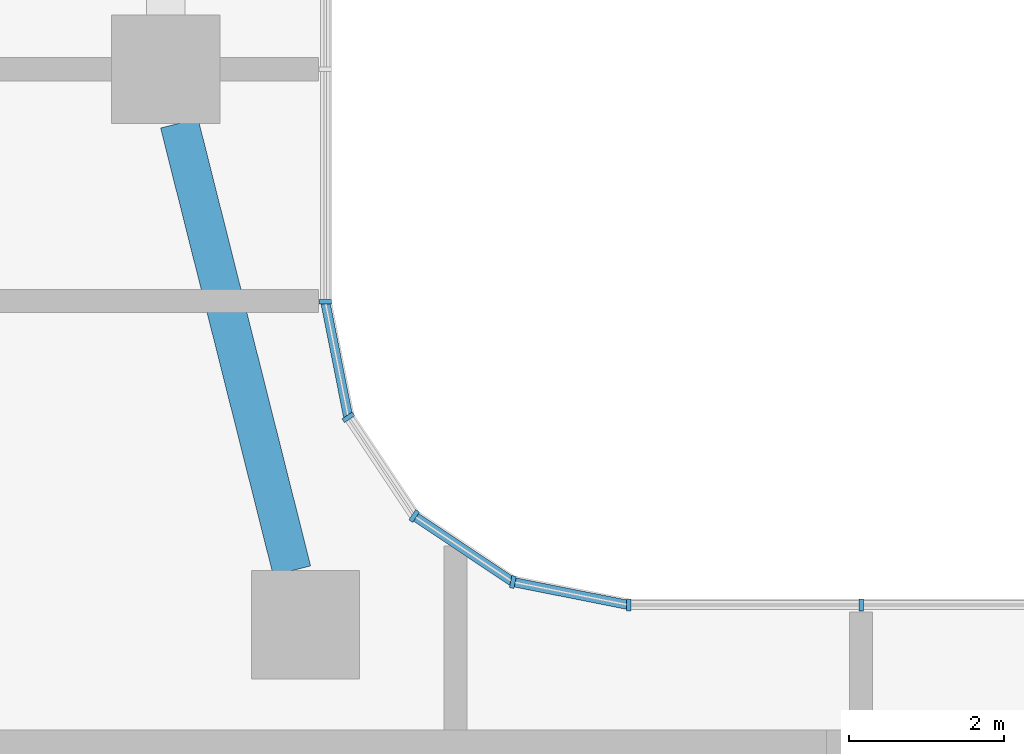
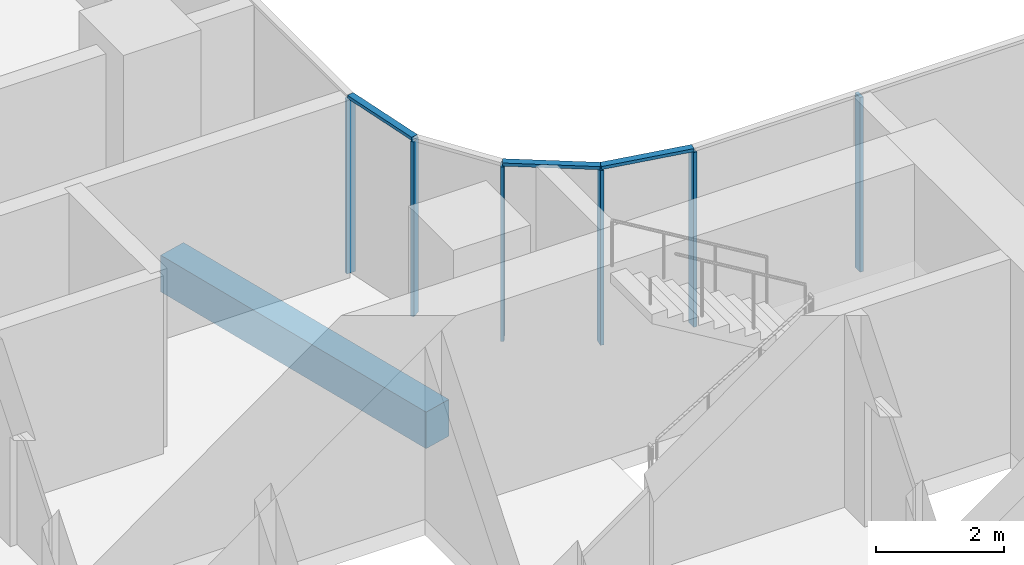
# One storey, part 2 of 32: 9 members, 1 beam, 3 elements without a shape of their own.
"""IFC4 building model written with IfcOpenShell, lengths in metres."""

import ifcopenshell
import ifcopenshell.guid

model = None  # the IFC model being written
_history = None  # IfcOwnerHistory: only IFC2X3 demands one
_inside = {}  # id of a spatial element -> (the spatial element, [elements in it])
_under = {}  # id of a project, library or spatial element -> (it, [spatial elements below it])
_declared = {}  # id of a project -> (the project, [libraries it declares])
_typed = {}  # id of a type object -> (the type object, [elements of that type])
_made_of = {}  # id of a material, layer set ... -> (it, [elements and type objects made of it])


def new_model(schema):
    """Start an empty IFC model of exactly this schema.

    Asked for "IFC4X3", IfcOpenShell would pick the latest addendum, in which some entities
    have other attributes; the version numbers below select the first issue.
    IFC2X3 requires an IfcOwnerHistory on every rooted entity: one is made here for all.
    """
    global model, _history
    if schema == "IFC4X3":
        model = ifcopenshell.file(schema_version=(4, 3, 0, 0))
    else:
        model = ifcopenshell.file(schema=schema)
    _inside.clear()
    _under.clear()
    _declared.clear()
    _typed.clear()
    _made_of.clear()
    _history = None
    if model.schema == "IFC2X3":
        org = make("IfcOrganization", Name="unknown")
        user = make(
            "IfcPersonAndOrganization",
            ThePerson=make("IfcPerson", FamilyName="unknown"),
            TheOrganization=org,
        )
        app = make(
            "IfcApplication",
            ApplicationDeveloper=org,
            Version="unknown",
            ApplicationFullName="unknown",
            ApplicationIdentifier="unknown",
        )
        _history = make(
            "IfcOwnerHistory",
            OwningUser=user,
            OwningApplication=app,
            ChangeAction="ADDED",
            CreationDate=0,
        )
    return model


def make(cls, **values):
    """One entity of the class cls with the attributes given. An attribute that is None is left unset."""
    return model.create_entity(
        cls, **{name: value for name, value in values.items() if value is not None}
    )


def rooted(cls, **values):
    """An entity with a GlobalId (a new one), such as an element, a storey or a relation."""
    return make(cls, GlobalId=ifcopenshell.guid.new(), OwnerHistory=_history, **values)


def si_unit(unit_type, name, prefix=None):
    """IfcSIUnit, for example si_unit("LENGTHUNIT", "METRE", prefix="MILLI")."""
    return make("IfcSIUnit", UnitType=unit_type, Prefix=prefix, Name=name)


def assignment(units):
    """IfcUnitAssignment: the units of a project."""
    return None if units is None else make("IfcUnitAssignment", Units=units)


def point(xyz):
    """IfcCartesianPoint."""
    return None if xyz is None else make("IfcCartesianPoint", Coordinates=xyz)


def direction(xyz):
    """IfcDirection."""
    return None if xyz is None else make("IfcDirection", DirectionRatios=xyz)


def frame(location, z_axis=None, x_axis=None):
    """IfcAxis2Placement3D, a coordinate frame: its origin and axes. An axis left out is left unset."""
    return make(
        "IfcAxis2Placement3D",
        Location=point(location),
        Axis=direction(z_axis),
        RefDirection=direction(x_axis),
    )


def frame_2d(location, x_axis=None):
    """IfcAxis2Placement2D, a coordinate frame in the plane: its origin and x axis."""
    return make(
        "IfcAxis2Placement2D", Location=point(location), RefDirection=direction(x_axis)
    )


def origin():
    """The frame at (0, 0, 0) with its axes left unset."""
    return frame((0.0, 0.0, 0.0))


def origin_2d():
    """The frame at (0, 0) in the plane with its x axis left unset."""
    return frame_2d((0.0, 0.0))


def place(relative_to, where):
    """IfcLocalPlacement: puts the frame where relative to a parent placement (None: the world)."""
    return make(
        "IfcLocalPlacement", PlacementRelTo=relative_to, RelativePlacement=where
    )


def context(
    kind, dimensions, precision=None, world=None, true_north=None, identifier=None
):
    """IfcGeometricRepresentationContext, for example the 3D "Model" context."""
    return make(
        "IfcGeometricRepresentationContext",
        ContextIdentifier=identifier,
        ContextType=kind,
        CoordinateSpaceDimension=dimensions,
        Precision=precision,
        WorldCoordinateSystem=world,
        TrueNorth=true_north,
    )


def subcontext(parent, identifier, kind, view, scale=None):
    """IfcGeometricRepresentationSubContext, for example "Body" below "Model"."""
    return make(
        "IfcGeometricRepresentationSubContext",
        ContextIdentifier=identifier,
        ContextType=kind,
        ParentContext=parent,
        TargetScale=scale,
        TargetView=view,
    )


def project(units=None, contexts=None):
    """IfcProject with its units and contexts."""
    return rooted(
        "IfcProject",
        Name="project",
        RepresentationContexts=contexts,
        UnitsInContext=assignment(units),
    )


def spatial(cls, under=None, at=None, **own):
    """A site, building, storey or space (cls), placed at a placement, below another one or the project."""
    s = rooted(cls, ObjectPlacement=at, **own)
    if under is not None:
        _under.setdefault(under.id(), (under, []))[1].append(s)
    return s


def profile(cls, at=None, kind="AREA", **sizes):
    """A parametric profile (cls). Its sizes go by their IFC names, for example OverallWidth=200.0."""
    return make(cls, ProfileType=kind, Position=at, **sizes)


def rectangle(**sizes):
    """IfcRectangleProfileDef."""
    return profile("IfcRectangleProfileDef", **sizes)


def extrude(swept, where, along, depth):
    """IfcExtrudedAreaSolid: the profile swept, set in the frame where, extruded along a direction by depth."""
    return make(
        "IfcExtrudedAreaSolid",
        SweptArea=swept,
        Position=where,
        ExtrudedDirection=direction(along),
        Depth=depth,
    )


def shape(context_of_items, identifier, shape_type, items):
    """IfcShapeRepresentation: the items that make up one representation, for example the "Body"."""
    return make(
        "IfcShapeRepresentation",
        ContextOfItems=context_of_items,
        RepresentationIdentifier=identifier,
        RepresentationType=shape_type,
        Items=items,
    )


def material(Name=None, Category=None):
    """IfcMaterial."""
    return make("IfcMaterial", Name=Name, Category=Category)


def material_profile(
    of_material, cross_section, Name=None, Category=None, Priority=None
):
    """IfcMaterialProfile: a cross section and its material."""
    return make(
        "IfcMaterialProfile",
        Name=Name,
        Material=of_material,
        Profile=cross_section,
        Priority=Priority,
        Category=Category,
    )


def profile_set(profiles, Name=None, composite=None):
    """IfcMaterialProfileSet."""
    return make(
        "IfcMaterialProfileSet",
        Name=Name,
        MaterialProfiles=profiles,
        CompositeProfile=composite,
    )


def made_of(thing, what):
    """Note that an element or type object is made of a material, layer set ...; save() writes the relation."""
    if what is not None:
        _made_of.setdefault(what.id(), (what, []))[1].append(thing)
    return thing


def type_object(cls, material=None, **own):
    """A type object (cls), such as IfcWallType, which elements share."""
    return made_of(rooted(cls, **own), material)


def element(
    cls,
    number,
    at=None,
    inside=None,
    cuts=None,
    type_object=None,
    material=None,
    context=None,
    identifier="Body",
    shape_type=None,
    held_by="IfcProductDefinitionShape",
    body=None,
    shapes=None,
    **own,
):
    """One element of the class cls, such as IfcWall. Its Tag is "e" and its number.

    at: its placement. inside: the storey or other place that contains it. cuts: it is an
    opening in that element (IfcRelVoidsElement). A single representation is given by context,
    identifier, shape_type and body (its items); several are given by shapes. held_by: the class
    of the entity that holds the representations. save() writes the other relations.
    """
    e = rooted(cls, Tag="e%d" % number, ObjectPlacement=at, **own)
    if body is not None:
        shapes = [shape(context, identifier, shape_type, body)]
    if shapes is not None:
        e.Representation = make(held_by, Representations=shapes)
    if inside is not None:
        _inside.setdefault(inside.id(), (inside, []))[1].append(e)
    if cuts is not None:
        rooted(
            "IfcRelVoidsElement", RelatingBuildingElement=cuts, RelatedOpeningElement=e
        )
    if type_object is not None:
        _typed.setdefault(type_object.id(), (type_object, []))[1].append(e)
    return made_of(e, material)


def aggregate(whole, parts):
    """IfcRelAggregates: a whole, such as a stair, and the parts it consists of."""
    return rooted("IfcRelAggregates", RelatingObject=whole, RelatedObjects=parts)


def save(model, path):
    """Write the relations noted so far, then the file.

    IfcRelAggregates (storeys below a building ...), IfcRelContainedInSpatialStructure (elements
    in a storey), IfcRelDefinesByType, IfcRelAssociatesMaterial and IfcRelDeclares: one each for
    every whole, place, type object, material and project.
    """
    for whole, parts in _under.values():
        aggregate(whole, parts)
    for where, things in _inside.values():
        rooted(
            "IfcRelContainedInSpatialStructure",
            RelatedElements=things,
            RelatingStructure=where,
        )
    for kind, things in _typed.values():
        rooted("IfcRelDefinesByType", RelatedObjects=things, RelatingType=kind)
    for what, things in _made_of.values():
        rooted("IfcRelAssociatesMaterial", RelatedObjects=things, RelatingMaterial=what)
    for by, libraries in _declared.values():
        rooted("IfcRelDeclares", RelatingContext=by, RelatedDefinitions=libraries)
    model.write(path)


model = new_model("IFC4")

# Units and contexts
model_context = context("Model", 3, precision=1e-05, world=origin(), true_north=direction((0.0, 1.0)))
body_context = subcontext(model_context, "Body", "Model", "MODEL_VIEW")
ifc_project = project(units=[si_unit("LENGTHUNIT", "METRE"), si_unit("AREAUNIT", "SQUARE_METRE"), si_unit("VOLUMEUNIT", "CUBIC_METRE"), si_unit("PLANEANGLEUNIT", "RADIAN"), si_unit("MASSUNIT", "GRAM", prefix="KILO")], contexts=[model_context])

# Site, building, storey
site_placement = place(None, origin())
site = spatial("IfcSite", under=ifc_project, at=site_placement, CompositionType="ELEMENT")
building_placement = place(site_placement, origin())
building = spatial("IfcBuilding", under=site, at=building_placement, Name="Ogive Portal Towers", CompositionType="ELEMENT")
storey_placement = place(building_placement, frame((0.0, 0.0, 59.39990234375)))
storey = spatial("IfcBuildingStorey", under=building, at=storey_placement, Name="L13", CompositionType="ELEMENT", Elevation=59.39990234375)

# Curtain wall, members
ifc_material_1 = material(Name="Glass, clear low-iron insulated glazing", Category="glass")
curtain_wall_type = type_object("IfcCurtainWallType", Name="CW FRONT RIBBON 4500", PredefinedType="NOTDEFINED", material=ifc_material_1)
curtain_wall_1_placement = place(storey_placement, origin())
curtain_wall_1 = element("IfcCurtainWall", 1, at=curtain_wall_1_placement, inside=storey, type_object=curtain_wall_type, Name="A:L13:f16:cw0", PredefinedType="NOTDEFINED")
ifc_material_2 = material(Name="Aluminium 6063 anodised", Category="aluminium")
ifc_material_profile_1 = material_profile(ifc_material_2, rectangle(XDim=0.159912109375, YDim=0.06005859375, at=origin_2d()), Name="AL 60x160")
ifc_profile_set_1 = profile_set([ifc_material_profile_1], Name="Aluminium 6063 anodised")
member_type_1 = type_object("IfcMemberType", Name="CW MULLION 60x160", PredefinedType="MULLION", material=ifc_profile_set_1)
member_1_placement = place(storey_placement, frame((58.5, 41.56494140625, 0.0), z_axis=(0.0, 0.0, 1.0), x_axis=(0.0, -1.0, 0.0)))
member_1 = element("IfcMember", 2, at=member_1_placement, type_object=member_type_1, Name="mullion", PredefinedType="MULLION", context=body_context, shape_type="SweptSolid", body=[
    extrude(rectangle(XDim=0.159912109375, YDim=0.06005859375, at=origin_2d()), origin(), (0.0, 0.0, 1.0), 3.340087890625),
])
member_2_placement = place(storey_placement, frame((55.4921875, 41.56494140625, 0.0), z_axis=(0.0, 0.0, 1.0), x_axis=(0.0, -1.0, 0.0)))
member_2 = element("IfcMember", 3, at=member_2_placement, type_object=member_type_1, Name="mullion", PredefinedType="MULLION", context=body_context, shape_type="SweptSolid", body=[
    extrude(rectangle(XDim=0.159912109375, YDim=0.06005859375, at=origin_2d()), origin(), (0.0, 0.0, 1.0), 3.340087890625),
])
aggregate(curtain_wall_1, [member_1, member_2])

# Curtain wall, member
curtain_wall_2_placement = place(storey_placement, origin())
curtain_wall_2 = element("IfcCurtainWall", 4, at=curtain_wall_2_placement, inside=storey, type_object=curtain_wall_type, Name="A:L13:f21:cw0", PredefinedType="NOTDEFINED")
member_3_placement = place(storey_placement, frame((51.56494140625, 45.4921875, 0.0), z_axis=(0.0, 0.0, 1.0), x_axis=(-1.0, 0.0, 0.0)))
member_3 = element("IfcMember", 5, at=member_3_placement, type_object=member_type_1, Name="mullion", PredefinedType="MULLION", context=body_context, shape_type="SweptSolid", body=[
    extrude(rectangle(XDim=0.159912109375, YDim=0.06005859375, at=origin_2d()), origin(), (0.0, 0.0, 1.0), 3.340087890625),
])
aggregate(curtain_wall_2, [member_3])

# Curtain wall, members
curtain_wall_3_placement = place(storey_placement, origin())
curtain_wall_3 = element("IfcCurtainWall", 6, at=curtain_wall_3_placement, inside=storey, type_object=curtain_wall_type, Name="A:L13:f17:cwa", PredefinedType="NOTDEFINED")
member_4_placement = place(storey_placement, frame((53.99365234375, 41.863037109375, 0.0), z_axis=(0.0, 0.0, 1.0), x_axis=(-0.195090322016, -0.980785280403, 0.0)))
member_4 = element("IfcMember", 7, at=member_4_placement, type_object=member_type_1, Name="mullion", PredefinedType="MULLION", context=body_context, shape_type="SweptSolid", body=[
    extrude(rectangle(XDim=0.159912109375, YDim=0.06005859375, at=origin_2d()), origin(), (0.0, 0.0, 1.0), 3.340087890625),
])
member_5_placement = place(storey_placement, frame((52.71630859375, 42.71630859375, 0.0), z_axis=(0.0, 0.0, 1.0), x_axis=(-0.55557023302, -0.831469612303, 0.0)))
member_5 = element("IfcMember", 8, at=member_5_placement, type_object=member_type_1, Name="mullion", PredefinedType="MULLION", context=body_context, shape_type="SweptSolid", body=[
    extrude(rectangle(XDim=0.159912109375, YDim=0.06005859375, at=origin_2d()), origin(), (0.0, 0.0, 1.0), 3.340087890625),
])
member_6_placement = place(storey_placement, frame((51.863037109375, 43.99365234375, 0.0), z_axis=(0.0, 0.0, 1.0), x_axis=(-0.831469612303, -0.55557023302, 0.0)))
member_6 = element("IfcMember", 9, at=member_6_placement, type_object=member_type_1, Name="mullion", PredefinedType="MULLION", context=body_context, shape_type="SweptSolid", body=[
    extrude(rectangle(XDim=0.159912109375, YDim=0.06005859375, at=origin_2d()), origin(), (0.0, 0.0, 1.0), 3.340087890625),
])
ifc_material_profile_2 = material_profile(ifc_material_2, rectangle(XDim=0.1201171875, YDim=0.06005859375, at=origin_2d()), Name="AL 120x60")
ifc_profile_set_2 = profile_set([ifc_material_profile_2], Name="Aluminium 6063 anodised")
member_type_2 = type_object("IfcMemberType", Name="CW TRANSOM 60x120", PredefinedType="USERDEFINED", material=ifc_profile_set_2)
member_7_placement = place(storey_placement, frame((55.4921875, 41.56494140625, 3.3701171875), z_axis=(-0.980782960085, 0.195101986683, 0.0), x_axis=(-0.195101986683, -0.980782960085, 0.0)))
member_7 = element("IfcMember", 10, at=member_7_placement, type_object=member_type_2, Name="transom", ObjectType="TRANSOM", PredefinedType="USERDEFINED", context=body_context, shape_type="SweptSolid", body=[
    extrude(rectangle(XDim=0.1201171875, YDim=0.06005859375, at=origin_2d()), origin(), (0.0, 0.0, 1.0), 1.52783203125),
])
member_8_placement = place(storey_placement, frame((53.99365234375, 41.863037109375, 3.3701171875), z_axis=(-0.831536462619, 0.555470171417, 0.0), x_axis=(-0.555470171417, -0.831536462619, 0.0)))
member_8 = element("IfcMember", 11, at=member_8_placement, type_object=member_type_2, Name="transom", ObjectType="TRANSOM", PredefinedType="USERDEFINED", context=body_context, shape_type="SweptSolid", body=[
    extrude(rectangle(XDim=0.1201171875, YDim=0.06005859375, at=origin_2d()), origin(), (0.0, 0.0, 1.0), 1.5361328125),
])
member_9_placement = place(storey_placement, frame((51.863037109375, 43.99365234375, 3.3701171875), z_axis=(-0.195101986683, 0.980782960085, 0.0), x_axis=(-0.980782960085, -0.195101986683, 0.0)))
member_9 = element("IfcMember", 12, at=member_9_placement, type_object=member_type_2, Name="transom", ObjectType="TRANSOM", PredefinedType="USERDEFINED", context=body_context, shape_type="SweptSolid", body=[
    extrude(rectangle(XDim=0.1201171875, YDim=0.06005859375, at=origin_2d()), origin(), (0.0, 0.0, 1.0), 1.52783203125),
])
aggregate(curtain_wall_3, [member_7, member_8, member_9, member_4, member_5, member_6])

# Beam
ifc_material_3 = material(Name="Concrete C40/50", Category="concrete")
ifc_material_profile_3 = material_profile(ifc_material_3, rectangle(XDim=0.5, YDim=0.699951171875, at=origin_2d()), Name="RC 500x700")
ifc_profile_set_3 = profile_set([ifc_material_profile_3], Name="Concrete C40/50")
beam_type = type_object("IfcBeamType", Name="SPANDREL BEAM RC 500x700", PredefinedType="BEAM", material=ifc_profile_set_3)
beam_placement = place(storey_placement, frame((49.67626953125, 47.800048828125, -0.64990234375), z_axis=(0.24411317639, -0.969746748957, 0.0), x_axis=(0.969746748957, 0.24411317639, 0.0)))
element("IfcBeam", 13, at=beam_placement, inside=storey, type_object=beam_type, Name="Spandrel beam L13", PredefinedType="BEAM", context=body_context, shape_type="SweptSolid", body=[
    extrude(rectangle(XDim=0.5, YDim=0.699951171875, at=origin_2d()), origin(), (0.0, 0.0, 1.0), 5.970703125),
])

save(model, "model.ifc")
